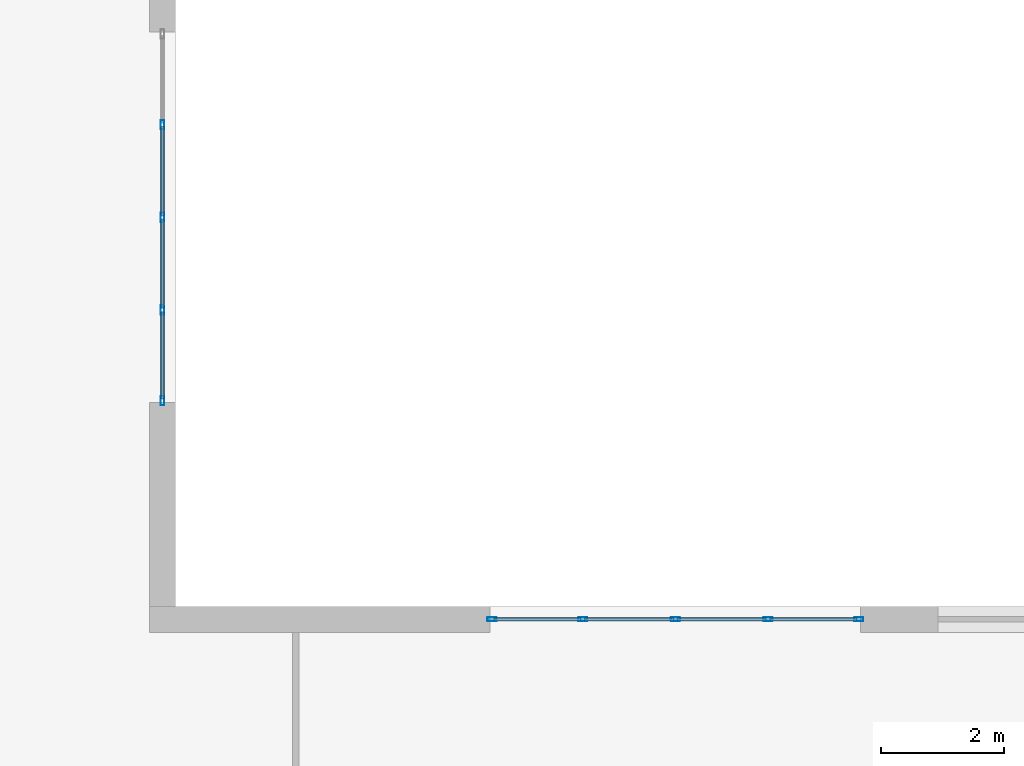
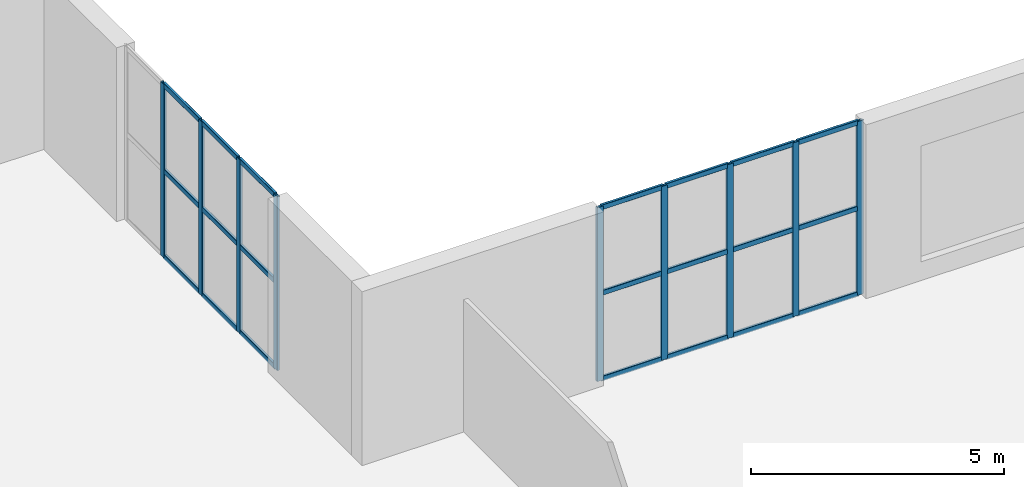
# One storey, part 5 of 14: 30 members, 2 elements without a shape of their own.
"""IFC4 building model written with IfcOpenShell, lengths in metres."""

from ifc_helpers import new_model, entity, si_unit, converted_unit, direction, frame, origin_with_axes, origin_2d_with_axis, place, context, subcontext, project, spatial, hollow_rectangle, extrude, material, material_profile, profile_set, type_object, element, aggregate, save


model = new_model("IFC4")

# Units and contexts
model_context = context("Model", 3, precision=1e-05, world=origin_with_axes(), true_north=direction((0.0, 1.0)))
body_context = subcontext(model_context, "Body", "Model", "MODEL_VIEW")
ifc_project = project(units=[si_unit("LENGTHUNIT", "METRE"), si_unit("AREAUNIT", "SQUARE_METRE"), si_unit("VOLUMEUNIT", "CUBIC_METRE"), converted_unit("PLANEANGLEUNIT", "DEGREE", entity("IfcPlaneAngleMeasure", 0.017453292519943295), si_unit("PLANEANGLEUNIT", "RADIAN"), dimensions=[0, 0, 0, 0, 0, 0, 0]), si_unit("MASSUNIT", "GRAM", prefix="KILO"), si_unit("THERMODYNAMICTEMPERATUREUNIT", "KELVIN")], contexts=[model_context])

# Site, building, storey
site_placement = place(None, origin_with_axes())
site = spatial("IfcSite", under=ifc_project, at=site_placement, CompositionType="ELEMENT")
building_placement = place(site_placement, origin_with_axes())
building = spatial("IfcBuilding", under=site, at=building_placement, Name="Varnlund Millrace Tower", CompositionType="ELEMENT")
storey_placement = place(building_placement, frame((0.0, 0.0, 24.3), z_axis=(0.0, 0.0, 1.0), x_axis=(1.0, 0.0, 0.0)))
storey = spatial("IfcBuildingStorey", under=building, at=storey_placement, Name="L05", CompositionType="ELEMENT", Elevation=24.3)

# Curtain wall, members
ifc_material_1 = material(Name="Thermally broken architectural bronze curtain wall", Category="aluminium")
curtain_wall_type = type_object("IfcCurtainWallType", Name="Type-CW-Sys4-SkyLobby1", PredefinedType="NOTDEFINED", material=ifc_material_1)
curtain_wall_1_placement = place(storey_placement, frame((53.7, 35.79, 0.0), z_axis=(0.0, 0.0, 1.0), x_axis=(1.0, 0.0, 0.0)))
curtain_wall_1 = element("IfcCurtainWall", 1, at=curtain_wall_1_placement, inside=storey, type_object=curtain_wall_type, Name="Type-CW-Sys4-SkyLobby1", PredefinedType="NOTDEFINED")
ifc_material_2 = material(Name="Architectural bronze aluminium alloy 6063-T6", Category="aluminium")
ifc_material_profile_1 = material_profile(ifc_material_2, hollow_rectangle(XDim=0.06, YDim=0.15, WallThickness=0.004, InnerFilletRadius=0.004, OuterFilletRadius=0.008, at=origin_2d_with_axis()), Name="Architectural bronze aluminium alloy 6063-T6")
ifc_profile_set_1 = profile_set([ifc_material_profile_1], Name="Architectural bronze aluminium alloy 6063-T6")
member_type_1 = type_object("IfcMemberType", Name="Type-CW-Mullion-60X150", PredefinedType="MULLION", material=ifc_profile_set_1)
member_1_placement = place(storey_placement, frame((53.73, 35.79, 0.0), z_axis=(0.0, 0.0, 1.0), x_axis=(0.0, 1.0, 0.0)))
member_1 = element("IfcMember", 2, at=member_1_placement, type_object=member_type_1, Name="CW-04 mullion 1", PredefinedType="MULLION", context=body_context, shape_type="SweptSolid", body=[
    extrude(hollow_rectangle(XDim=0.06, YDim=0.15, WallThickness=0.004, InnerFilletRadius=0.004, OuterFilletRadius=0.008, at=origin_2d_with_axis()), origin_with_axes(), (0.0, 0.0, 1.0), 4.2),
])
member_2_placement = place(storey_placement, frame((55.2, 35.79, 0.0), z_axis=(0.0, 0.0, 1.0), x_axis=(0.0, 1.0, 0.0)))
member_2 = element("IfcMember", 3, at=member_2_placement, type_object=member_type_1, Name="CW-04 mullion 2", PredefinedType="MULLION", context=body_context, shape_type="SweptSolid", body=[
    extrude(hollow_rectangle(XDim=0.06, YDim=0.15, WallThickness=0.004, InnerFilletRadius=0.004, OuterFilletRadius=0.008, at=origin_2d_with_axis()), origin_with_axes(), (0.0, 0.0, 1.0), 4.2),
])
member_3_placement = place(storey_placement, frame((56.7, 35.79, 0.0), z_axis=(0.0, 0.0, 1.0), x_axis=(0.0, 1.0, 0.0)))
member_3 = element("IfcMember", 4, at=member_3_placement, type_object=member_type_1, Name="CW-04 mullion 3", PredefinedType="MULLION", context=body_context, shape_type="SweptSolid", body=[
    extrude(hollow_rectangle(XDim=0.06, YDim=0.15, WallThickness=0.004, InnerFilletRadius=0.004, OuterFilletRadius=0.008, at=origin_2d_with_axis()), origin_with_axes(), (0.0, 0.0, 1.0), 4.2),
])
member_4_placement = place(storey_placement, frame((58.2, 35.79, 0.0), z_axis=(0.0, 0.0, 1.0), x_axis=(0.0, 1.0, 0.0)))
member_4 = element("IfcMember", 5, at=member_4_placement, type_object=member_type_1, Name="CW-04 mullion 4", PredefinedType="MULLION", context=body_context, shape_type="SweptSolid", body=[
    extrude(hollow_rectangle(XDim=0.06, YDim=0.15, WallThickness=0.004, InnerFilletRadius=0.004, OuterFilletRadius=0.008, at=origin_2d_with_axis()), origin_with_axes(), (0.0, 0.0, 1.0), 4.2),
])
member_5_placement = place(storey_placement, frame((59.67, 35.79, 0.0), z_axis=(0.0, 0.0, 1.0), x_axis=(0.0, 1.0, 0.0)))
member_5 = element("IfcMember", 6, at=member_5_placement, type_object=member_type_1, Name="CW-04 mullion 5", PredefinedType="MULLION", context=body_context, shape_type="SweptSolid", body=[
    extrude(hollow_rectangle(XDim=0.06, YDim=0.15, WallThickness=0.004, InnerFilletRadius=0.004, OuterFilletRadius=0.008, at=origin_2d_with_axis()), origin_with_axes(), (0.0, 0.0, 1.0), 4.2),
])

curtain_wall_2_placement = place(storey_placement, frame((48.39, 45.3, 0.0), z_axis=(0.0, 0.0, 1.0), x_axis=(1.0, 0.0, 0.0)))
curtain_wall_2 = element("IfcCurtainWall", 7, at=curtain_wall_2_placement, inside=storey, type_object=curtain_wall_type, Name="Type-CW-Sys4-SkyLobby1", PredefinedType="NOTDEFINED")
member_6_placement = place(storey_placement, frame((48.39, 43.8, 0.0), z_axis=(0.0, 0.0, 1.0), x_axis=(1.0, 0.0, 0.0)))
member_6 = element("IfcMember", 8, at=member_6_placement, type_object=member_type_1, Name="CW-04 mullion 2", PredefinedType="MULLION", context=body_context, shape_type="SweptSolid", body=[
    extrude(hollow_rectangle(XDim=0.06, YDim=0.15, WallThickness=0.004, InnerFilletRadius=0.004, OuterFilletRadius=0.008, at=origin_2d_with_axis()), origin_with_axes(), (0.0, 0.0, 1.0), 4.2),
])
member_7_placement = place(storey_placement, frame((48.39, 42.3, 0.0), z_axis=(0.0, 0.0, 1.0), x_axis=(1.0, 0.0, 0.0)))
member_7 = element("IfcMember", 9, at=member_7_placement, type_object=member_type_1, Name="CW-04 mullion 3", PredefinedType="MULLION", context=body_context, shape_type="SweptSolid", body=[
    extrude(hollow_rectangle(XDim=0.06, YDim=0.15, WallThickness=0.004, InnerFilletRadius=0.004, OuterFilletRadius=0.008, at=origin_2d_with_axis()), origin_with_axes(), (0.0, 0.0, 1.0), 4.2),
])
member_8_placement = place(storey_placement, frame((48.39, 40.8, 0.0), z_axis=(0.0, 0.0, 1.0), x_axis=(1.0, 0.0, 0.0)))
member_8 = element("IfcMember", 10, at=member_8_placement, type_object=member_type_1, Name="CW-04 mullion 4", PredefinedType="MULLION", context=body_context, shape_type="SweptSolid", body=[
    extrude(hollow_rectangle(XDim=0.06, YDim=0.15, WallThickness=0.004, InnerFilletRadius=0.004, OuterFilletRadius=0.008, at=origin_2d_with_axis()), origin_with_axes(), (0.0, 0.0, 1.0), 4.2),
])
member_9_placement = place(storey_placement, frame((48.39, 39.33, 0.0), z_axis=(0.0, 0.0, 1.0), x_axis=(1.0, 0.0, 0.0)))
member_9 = element("IfcMember", 11, at=member_9_placement, type_object=member_type_1, Name="CW-04 mullion 5", PredefinedType="MULLION", context=body_context, shape_type="SweptSolid", body=[
    extrude(hollow_rectangle(XDim=0.06, YDim=0.15, WallThickness=0.004, InnerFilletRadius=0.004, OuterFilletRadius=0.008, at=origin_2d_with_axis()), origin_with_axes(), (0.0, 0.0, 1.0), 4.2),
])

# Member
ifc_material_profile_2 = material_profile(ifc_material_2, hollow_rectangle(XDim=0.06, YDim=0.12, WallThickness=0.004, InnerFilletRadius=0.004, OuterFilletRadius=0.008, at=origin_2d_with_axis()), Name="Architectural bronze aluminium alloy 6063-T6")
ifc_profile_set_2 = profile_set([ifc_material_profile_2], Name="Architectural bronze aluminium alloy 6063-T6")
member_type_2 = type_object("IfcMemberType", Name="Type-CW-Transom-60X120", PredefinedType="USERDEFINED", material=ifc_profile_set_2)
member_10_placement = place(storey_placement, frame((53.76, 35.79, 0.03), z_axis=(1.0, 0.0, 0.0), x_axis=(0.0, 1.0, 0.0)))
member_10 = element("IfcMember", 12, at=member_10_placement, type_object=member_type_2, Name="CW-04 transom 1.1", ObjectType="TRANSOM", PredefinedType="USERDEFINED", context=body_context, shape_type="SweptSolid", body=[
    extrude(hollow_rectangle(XDim=0.06, YDim=0.12, WallThickness=0.004, InnerFilletRadius=0.004, OuterFilletRadius=0.008, at=origin_2d_with_axis()), origin_with_axes(), (0.0, 0.0, 1.0), 1.41),
])

member_11_placement = place(storey_placement, frame((53.76, 35.79, 2.1), z_axis=(1.0, 0.0, 0.0), x_axis=(0.0, 1.0, 0.0)))
member_11 = element("IfcMember", 13, at=member_11_placement, type_object=member_type_2, Name="CW-04 transom 1.2", ObjectType="TRANSOM", PredefinedType="USERDEFINED", context=body_context, shape_type="SweptSolid", body=[
    extrude(hollow_rectangle(XDim=0.06, YDim=0.12, WallThickness=0.004, InnerFilletRadius=0.004, OuterFilletRadius=0.008, at=origin_2d_with_axis()), origin_with_axes(), (0.0, 0.0, 1.0), 1.41),
])

member_12_placement = place(storey_placement, frame((53.76, 35.79, 4.17), z_axis=(1.0, 0.0, 0.0), x_axis=(0.0, 1.0, 0.0)))
member_12 = element("IfcMember", 14, at=member_12_placement, type_object=member_type_2, Name="CW-04 transom 1.3", ObjectType="TRANSOM", PredefinedType="USERDEFINED", context=body_context, shape_type="SweptSolid", body=[
    extrude(hollow_rectangle(XDim=0.06, YDim=0.12, WallThickness=0.004, InnerFilletRadius=0.004, OuterFilletRadius=0.008, at=origin_2d_with_axis()), origin_with_axes(), (0.0, 0.0, 1.0), 1.41),
])

member_13_placement = place(storey_placement, frame((55.23, 35.79, 0.03), z_axis=(1.0, 0.0, 0.0), x_axis=(0.0, 1.0, 0.0)))
member_13 = element("IfcMember", 15, at=member_13_placement, type_object=member_type_2, Name="CW-04 transom 2.1", ObjectType="TRANSOM", PredefinedType="USERDEFINED", context=body_context, shape_type="SweptSolid", body=[
    extrude(hollow_rectangle(XDim=0.06, YDim=0.12, WallThickness=0.004, InnerFilletRadius=0.004, OuterFilletRadius=0.008, at=origin_2d_with_axis()), origin_with_axes(), (0.0, 0.0, 1.0), 1.44),
])

member_14_placement = place(storey_placement, frame((55.23, 35.79, 2.1), z_axis=(1.0, 0.0, 0.0), x_axis=(0.0, 1.0, 0.0)))
member_14 = element("IfcMember", 16, at=member_14_placement, type_object=member_type_2, Name="CW-04 transom 2.2", ObjectType="TRANSOM", PredefinedType="USERDEFINED", context=body_context, shape_type="SweptSolid", body=[
    extrude(hollow_rectangle(XDim=0.06, YDim=0.12, WallThickness=0.004, InnerFilletRadius=0.004, OuterFilletRadius=0.008, at=origin_2d_with_axis()), origin_with_axes(), (0.0, 0.0, 1.0), 1.44),
])

member_15_placement = place(storey_placement, frame((55.23, 35.79, 4.17), z_axis=(1.0, 0.0, 0.0), x_axis=(0.0, 1.0, 0.0)))
member_15 = element("IfcMember", 17, at=member_15_placement, type_object=member_type_2, Name="CW-04 transom 2.3", ObjectType="TRANSOM", PredefinedType="USERDEFINED", context=body_context, shape_type="SweptSolid", body=[
    extrude(hollow_rectangle(XDim=0.06, YDim=0.12, WallThickness=0.004, InnerFilletRadius=0.004, OuterFilletRadius=0.008, at=origin_2d_with_axis()), origin_with_axes(), (0.0, 0.0, 1.0), 1.44),
])

member_16_placement = place(storey_placement, frame((56.73, 35.79, 0.03), z_axis=(1.0, 0.0, 0.0), x_axis=(0.0, 1.0, 0.0)))
member_16 = element("IfcMember", 18, at=member_16_placement, type_object=member_type_2, Name="CW-04 transom 3.1", ObjectType="TRANSOM", PredefinedType="USERDEFINED", context=body_context, shape_type="SweptSolid", body=[
    extrude(hollow_rectangle(XDim=0.06, YDim=0.12, WallThickness=0.004, InnerFilletRadius=0.004, OuterFilletRadius=0.008, at=origin_2d_with_axis()), origin_with_axes(), (0.0, 0.0, 1.0), 1.44),
])

member_17_placement = place(storey_placement, frame((56.73, 35.79, 2.1), z_axis=(1.0, 0.0, 0.0), x_axis=(0.0, 1.0, 0.0)))
member_17 = element("IfcMember", 19, at=member_17_placement, type_object=member_type_2, Name="CW-04 transom 3.2", ObjectType="TRANSOM", PredefinedType="USERDEFINED", context=body_context, shape_type="SweptSolid", body=[
    extrude(hollow_rectangle(XDim=0.06, YDim=0.12, WallThickness=0.004, InnerFilletRadius=0.004, OuterFilletRadius=0.008, at=origin_2d_with_axis()), origin_with_axes(), (0.0, 0.0, 1.0), 1.44),
])

member_18_placement = place(storey_placement, frame((56.73, 35.79, 4.17), z_axis=(1.0, 0.0, 0.0), x_axis=(0.0, 1.0, 0.0)))
member_18 = element("IfcMember", 20, at=member_18_placement, type_object=member_type_2, Name="CW-04 transom 3.3", ObjectType="TRANSOM", PredefinedType="USERDEFINED", context=body_context, shape_type="SweptSolid", body=[
    extrude(hollow_rectangle(XDim=0.06, YDim=0.12, WallThickness=0.004, InnerFilletRadius=0.004, OuterFilletRadius=0.008, at=origin_2d_with_axis()), origin_with_axes(), (0.0, 0.0, 1.0), 1.44),
])

member_19_placement = place(storey_placement, frame((58.23, 35.79, 0.03), z_axis=(1.0, 0.0, 0.0), x_axis=(0.0, 1.0, 0.0)))
member_19 = element("IfcMember", 21, at=member_19_placement, type_object=member_type_2, Name="CW-04 transom 4.1", ObjectType="TRANSOM", PredefinedType="USERDEFINED", context=body_context, shape_type="SweptSolid", body=[
    extrude(hollow_rectangle(XDim=0.06, YDim=0.12, WallThickness=0.004, InnerFilletRadius=0.004, OuterFilletRadius=0.008, at=origin_2d_with_axis()), origin_with_axes(), (0.0, 0.0, 1.0), 1.41),
])

member_20_placement = place(storey_placement, frame((58.23, 35.79, 2.1), z_axis=(1.0, 0.0, 0.0), x_axis=(0.0, 1.0, 0.0)))
member_20 = element("IfcMember", 22, at=member_20_placement, type_object=member_type_2, Name="CW-04 transom 4.2", ObjectType="TRANSOM", PredefinedType="USERDEFINED", context=body_context, shape_type="SweptSolid", body=[
    extrude(hollow_rectangle(XDim=0.06, YDim=0.12, WallThickness=0.004, InnerFilletRadius=0.004, OuterFilletRadius=0.008, at=origin_2d_with_axis()), origin_with_axes(), (0.0, 0.0, 1.0), 1.41),
])

member_21_placement = place(storey_placement, frame((58.23, 35.79, 4.17), z_axis=(1.0, 0.0, 0.0), x_axis=(0.0, 1.0, 0.0)))
member_21 = element("IfcMember", 23, at=member_21_placement, type_object=member_type_2, Name="CW-04 transom 4.3", ObjectType="TRANSOM", PredefinedType="USERDEFINED", context=body_context, shape_type="SweptSolid", body=[
    extrude(hollow_rectangle(XDim=0.06, YDim=0.12, WallThickness=0.004, InnerFilletRadius=0.004, OuterFilletRadius=0.008, at=origin_2d_with_axis()), origin_with_axes(), (0.0, 0.0, 1.0), 1.41),
])

aggregate(curtain_wall_1, [member_1, member_2, member_3, member_4, member_5, member_10, member_11, member_12, member_13, member_14, member_15, member_16, member_17, member_18, member_19, member_20, member_21])

member_22_placement = place(storey_placement, frame((48.39, 43.77, 0.03), z_axis=(0.0, -1.0, 0.0), x_axis=(1.0, 0.0, 0.0)))
member_22 = element("IfcMember", 24, at=member_22_placement, type_object=member_type_2, Name="CW-04 transom 2.1", ObjectType="TRANSOM", PredefinedType="USERDEFINED", context=body_context, shape_type="SweptSolid", body=[
    extrude(hollow_rectangle(XDim=0.06, YDim=0.12, WallThickness=0.004, InnerFilletRadius=0.004, OuterFilletRadius=0.008, at=origin_2d_with_axis()), origin_with_axes(), (0.0, 0.0, 1.0), 1.44),
])

member_23_placement = place(storey_placement, frame((48.39, 43.77, 2.1), z_axis=(0.0, -1.0, 0.0), x_axis=(1.0, 0.0, 0.0)))
member_23 = element("IfcMember", 25, at=member_23_placement, type_object=member_type_2, Name="CW-04 transom 2.2", ObjectType="TRANSOM", PredefinedType="USERDEFINED", context=body_context, shape_type="SweptSolid", body=[
    extrude(hollow_rectangle(XDim=0.06, YDim=0.12, WallThickness=0.004, InnerFilletRadius=0.004, OuterFilletRadius=0.008, at=origin_2d_with_axis()), origin_with_axes(), (0.0, 0.0, 1.0), 1.44),
])

member_24_placement = place(storey_placement, frame((48.39, 43.77, 4.17), z_axis=(0.0, -1.0, 0.0), x_axis=(1.0, 0.0, 0.0)))
member_24 = element("IfcMember", 26, at=member_24_placement, type_object=member_type_2, Name="CW-04 transom 2.3", ObjectType="TRANSOM", PredefinedType="USERDEFINED", context=body_context, shape_type="SweptSolid", body=[
    extrude(hollow_rectangle(XDim=0.06, YDim=0.12, WallThickness=0.004, InnerFilletRadius=0.004, OuterFilletRadius=0.008, at=origin_2d_with_axis()), origin_with_axes(), (0.0, 0.0, 1.0), 1.44),
])

member_25_placement = place(storey_placement, frame((48.39, 42.27, 0.03), z_axis=(0.0, -1.0, 0.0), x_axis=(1.0, 0.0, 0.0)))
member_25 = element("IfcMember", 27, at=member_25_placement, type_object=member_type_2, Name="CW-04 transom 3.1", ObjectType="TRANSOM", PredefinedType="USERDEFINED", context=body_context, shape_type="SweptSolid", body=[
    extrude(hollow_rectangle(XDim=0.06, YDim=0.12, WallThickness=0.004, InnerFilletRadius=0.004, OuterFilletRadius=0.008, at=origin_2d_with_axis()), origin_with_axes(), (0.0, 0.0, 1.0), 1.44),
])

member_26_placement = place(storey_placement, frame((48.39, 42.27, 2.1), z_axis=(0.0, -1.0, 0.0), x_axis=(1.0, 0.0, 0.0)))
member_26 = element("IfcMember", 28, at=member_26_placement, type_object=member_type_2, Name="CW-04 transom 3.2", ObjectType="TRANSOM", PredefinedType="USERDEFINED", context=body_context, shape_type="SweptSolid", body=[
    extrude(hollow_rectangle(XDim=0.06, YDim=0.12, WallThickness=0.004, InnerFilletRadius=0.004, OuterFilletRadius=0.008, at=origin_2d_with_axis()), origin_with_axes(), (0.0, 0.0, 1.0), 1.44),
])

member_27_placement = place(storey_placement, frame((48.39, 42.27, 4.17), z_axis=(0.0, -1.0, 0.0), x_axis=(1.0, 0.0, 0.0)))
member_27 = element("IfcMember", 29, at=member_27_placement, type_object=member_type_2, Name="CW-04 transom 3.3", ObjectType="TRANSOM", PredefinedType="USERDEFINED", context=body_context, shape_type="SweptSolid", body=[
    extrude(hollow_rectangle(XDim=0.06, YDim=0.12, WallThickness=0.004, InnerFilletRadius=0.004, OuterFilletRadius=0.008, at=origin_2d_with_axis()), origin_with_axes(), (0.0, 0.0, 1.0), 1.44),
])

member_28_placement = place(storey_placement, frame((48.39, 40.77, 0.03), z_axis=(0.0, -1.0, 0.0), x_axis=(1.0, 0.0, 0.0)))
member_28 = element("IfcMember", 30, at=member_28_placement, type_object=member_type_2, Name="CW-04 transom 4.1", ObjectType="TRANSOM", PredefinedType="USERDEFINED", context=body_context, shape_type="SweptSolid", body=[
    extrude(hollow_rectangle(XDim=0.06, YDim=0.12, WallThickness=0.004, InnerFilletRadius=0.004, OuterFilletRadius=0.008, at=origin_2d_with_axis()), origin_with_axes(), (0.0, 0.0, 1.0), 1.41),
])

member_29_placement = place(storey_placement, frame((48.39, 40.77, 2.1), z_axis=(0.0, -1.0, 0.0), x_axis=(1.0, 0.0, 0.0)))
member_29 = element("IfcMember", 31, at=member_29_placement, type_object=member_type_2, Name="CW-04 transom 4.2", ObjectType="TRANSOM", PredefinedType="USERDEFINED", context=body_context, shape_type="SweptSolid", body=[
    extrude(hollow_rectangle(XDim=0.06, YDim=0.12, WallThickness=0.004, InnerFilletRadius=0.004, OuterFilletRadius=0.008, at=origin_2d_with_axis()), origin_with_axes(), (0.0, 0.0, 1.0), 1.41),
])

member_30_placement = place(storey_placement, frame((48.39, 40.77, 4.17), z_axis=(0.0, -1.0, 0.0), x_axis=(1.0, 0.0, 0.0)))
member_30 = element("IfcMember", 32, at=member_30_placement, type_object=member_type_2, Name="CW-04 transom 4.3", ObjectType="TRANSOM", PredefinedType="USERDEFINED", context=body_context, shape_type="SweptSolid", body=[
    extrude(hollow_rectangle(XDim=0.06, YDim=0.12, WallThickness=0.004, InnerFilletRadius=0.004, OuterFilletRadius=0.008, at=origin_2d_with_axis()), origin_with_axes(), (0.0, 0.0, 1.0), 1.41),
])

aggregate(curtain_wall_2, [member_6, member_7, member_8, member_9, member_22, member_23, member_24, member_25, member_26, member_27, member_28, member_29, member_30])

save(model, "model.ifc")
